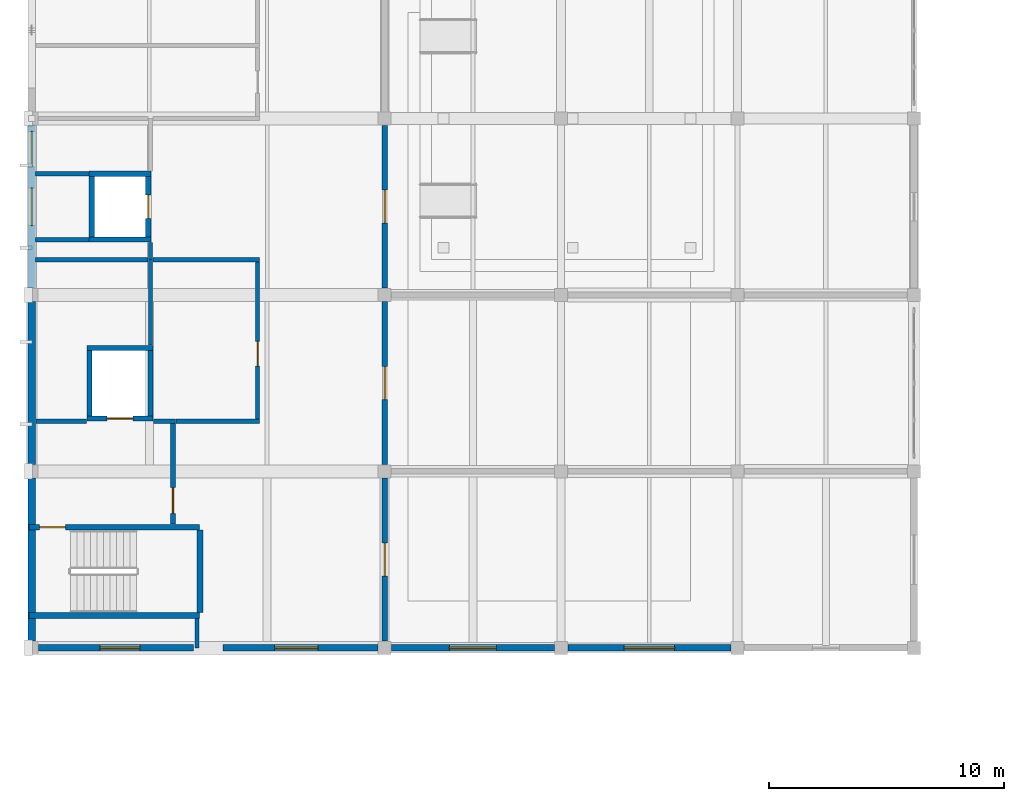
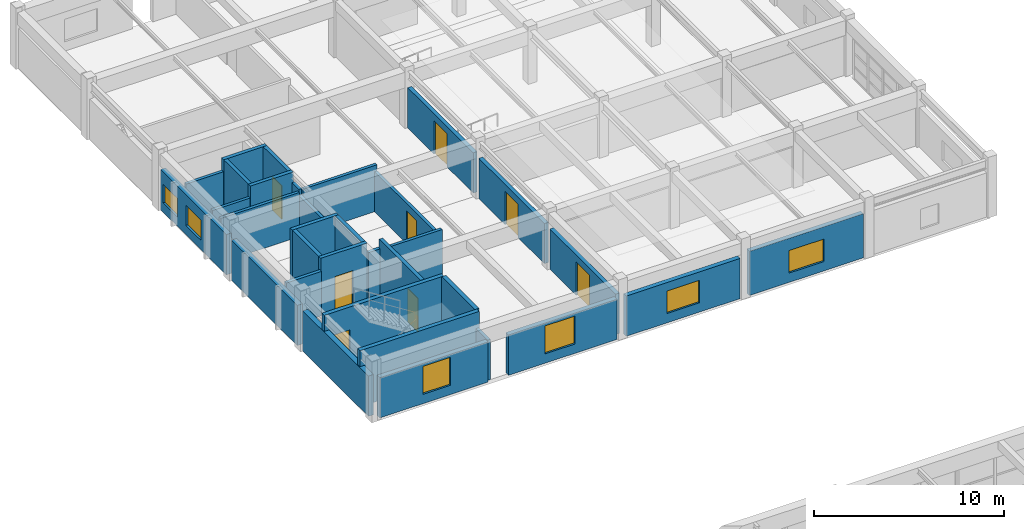
# One storey, part 79 of 101: 33 walls, 8 doors, 6 windows, 14 openings.
"""IFC4 building model written with IfcOpenShell, lengths in metres."""

from ifc_helpers import new_model, si_unit, direction, frame, frame_2d, origin, place, context, subcontext, project, spatial, rectangle, extrude, material, layer, layer_set, type_object, element, fill, save


model = new_model("IFC4")

# Units and contexts
model_context = context("Model", 3, precision=1e-05, world=origin(), true_north=direction((0.0, 1.0)))
body_context = subcontext(model_context, "Body", "Model", "MODEL_VIEW")
ifc_project = project(units=[si_unit("LENGTHUNIT", "METRE"), si_unit("AREAUNIT", "SQUARE_METRE"), si_unit("VOLUMEUNIT", "CUBIC_METRE"), si_unit("PLANEANGLEUNIT", "RADIAN"), si_unit("MASSUNIT", "GRAM", prefix="KILO")], contexts=[model_context])

# Site, building, storey
site_placement = place(None, origin())
site = spatial("IfcSite", under=ifc_project, at=site_placement, CompositionType="ELEMENT")
building_placement = place(site_placement, origin())
building = spatial("IfcBuilding", under=site, at=building_placement, Name="Qasida Concert Hall", CompositionType="ELEMENT")
storey_placement = place(building_placement, frame((0.0, 0.0, 13.199951171875)))
storey = spatial("IfcBuildingStorey", under=building, at=storey_placement, Name="L03", CompositionType="ELEMENT", Elevation=13.199951171875)

# Walls
ifc_material_1 = material(Name="Concrete C40/50", Category="concrete")
ifc_layer_1 = layer(ifc_material_1, 0.219970703125, Name="Concrete C40/50")
ifc_layer_set_1 = layer_set([ifc_layer_1], Name="Concrete C40/50")
wall_type_1 = type_object("IfcWallType", Name="WL-CW-220", PredefinedType="SOLIDWALL", material=ifc_layer_set_1)
for number, where, z_axis, x_axis, name in (
    (1, (2.43994140625, 92.35009765625, 0.0), (0.0, 0.0, 1.0), (1.0, 0.0, 0.0), "L03 LF-07 lift shaft wall S"),
    (2, (2.43994140625, 95.14990234375, 0.0), (0.0, 0.0, 1.0), (1.0, 0.0, 0.0), "L03 LF-07 lift shaft wall N"),
):
    element("IfcWall", number, at=place(storey_placement, frame(where, z_axis=z_axis, x_axis=x_axis)), inside=storey, type_object=wall_type_1, Name=name, PredefinedType="SOLIDWALL", context=body_context, shape_type="SweptSolid", body=[
        extrude(rectangle(XDim=2.6201171875, YDim=0.219970703125, at=frame_2d((1.31005859375, 0.0))), origin(), (0.0, 0.0, 1.0), 3.6201171875),
    ])
wall_1_placement = place(storey_placement, frame((2.550048828125, 92.4599609375, 0.0), z_axis=(0.0, 0.0, 1.0), x_axis=(0.0, 1.0, 0.0)))
element("IfcWall", 3, at=wall_1_placement, inside=storey, type_object=wall_type_1, Name="L03 LF-07 lift shaft wall W", PredefinedType="SOLIDWALL", context=body_context, shape_type="SweptSolid", body=[
    extrude(rectangle(XDim=2.580078125, YDim=0.219970703125, at=frame_2d((1.2900390625, 0.0))), origin(), (0.0, 0.0, 1.0), 3.6201171875),
])

# Wall, opening, door
wall_2_placement = place(storey_placement, frame((4.949951171875, 92.4599609375, 0.0), z_axis=(0.0, 0.0, 1.0), x_axis=(0.0, 1.0, 0.0)))
wall_2 = element("IfcWall", 4, at=wall_2_placement, inside=storey, type_object=wall_type_1, Name="L03 LF-07 lift shaft wall E", PredefinedType="SOLIDWALL", context=body_context, shape_type="SweptSolid", body=[
    extrude(rectangle(XDim=2.580078125, YDim=0.219970703125, at=frame_2d((1.2900390625, 0.0))), origin(), (0.0, 0.0, 1.0), 3.6201171875),
])
opening_1_placement = place(wall_2_placement, frame((0.7900390625, 0.0, 0.0)))
opening_1 = element("IfcOpeningElement", 5, at=opening_1_placement, cuts=wall_2, Name="Opening LD-100", PredefinedType="OPENING", context=body_context, shape_type="SweptSolid", body=[
    extrude(rectangle(XDim=1.0, YDim=2.14990234375, at=frame_2d((0.5, 1.074951171875))), frame((0.0, 0.119873046875, 0.0), z_axis=(0.0, -1.0, 0.0), x_axis=(1.0, 0.0, 0.0)), (0.0, 0.0, 1.0), 0.239990234375),
])
ifc_material_2 = material(Name="Brushed bronze passenger lift landing door", Category="steel")
door_type_1 = type_object("IfcDoorType", Name="LD-100", OperationType="SLIDING_TO_LEFT", PredefinedType="DOOR", material=ifc_material_2)
door_1_placement = place(opening_1_placement, origin())
door_1 = element("IfcDoor", 6, at=door_1_placement, inside=storey, type_object=door_type_1, Name="Lift landing door LF-07 L03", OperationType="SLIDING_TO_LEFT", OverallHeight=2.14990234375, OverallWidth=1.0, PredefinedType="DOOR", context=body_context, shape_type="SweptSolid", body=[
    extrude(rectangle(XDim=1.0, YDim=2.14990234375, at=frame_2d((0.5, 1.074951171875))), frame((0.0, 0.02490234375, 0.0), z_axis=(0.0, -1.0, 0.0), x_axis=(1.0, 0.0, 0.0)), (0.0, 0.0, 1.0), 0.050048828125),
])
fill(opening_1, door_1)

wall_3_placement = place(storey_placement, frame((2.340087890625, 84.75, 0.0), z_axis=(0.0, 0.0, 1.0), x_axis=(1.0, 0.0, 0.0)))
wall_3 = element("IfcWall", 7, at=wall_3_placement, inside=storey, type_object=wall_type_1, Name="L03 LF-08 lift shaft wall S", PredefinedType="SOLIDWALL", context=body_context, shape_type="SweptSolid", body=[
    extrude(rectangle(XDim=2.81982421875, YDim=0.219970703125, at=frame_2d((1.409912109375, 0.0))), origin(), (0.0, 0.0, 1.0), 3.6201171875),
])
opening_2_placement = place(wall_3_placement, frame((0.860107421875, 0.0, 0.0)))
opening_2 = element("IfcOpeningElement", 8, at=opening_2_placement, cuts=wall_3, Name="Opening LD-110", PredefinedType="OPENING", context=body_context, shape_type="SweptSolid", body=[
    extrude(rectangle(XDim=1.10009765625, YDim=2.14990234375, at=frame_2d((0.550048828125, 1.074951171875))), frame((0.0, 0.119873046875, 0.0), z_axis=(0.0, -1.0, 0.0), x_axis=(1.0, 0.0, 0.0)), (0.0, 0.0, 1.0), 0.239990234375),
])
ifc_material_3 = material(Name="Firefighting lift sliding landing door", Category="steel")
door_type_2 = type_object("IfcDoorType", Name="LD-110", OperationType="SLIDING_TO_LEFT", PredefinedType="DOOR", material=ifc_material_3)
door_2_placement = place(opening_2_placement, origin())
door_2 = element("IfcDoor", 9, at=door_2_placement, inside=storey, type_object=door_type_2, Name="Lift landing door LF-08 L03", OperationType="SLIDING_TO_LEFT", OverallHeight=2.14990234375, OverallWidth=1.10009765625, PredefinedType="DOOR", context=body_context, shape_type="SweptSolid", body=[
    extrude(rectangle(XDim=1.10009765625, YDim=2.14990234375, at=frame_2d((0.550048828125, 1.074951171875))), frame((0.0, 0.02490234375, 0.0), z_axis=(0.0, -1.0, 0.0), x_axis=(1.0, 0.0, 0.0)), (0.0, 0.0, 1.0), 0.050048828125),
])
fill(opening_2, door_2)

# Walls
wall_4_placement = place(storey_placement, frame((2.340087890625, 87.75, 0.0), z_axis=(0.0, 0.0, 1.0), x_axis=(1.0, 0.0, 0.0)))
element("IfcWall", 10, at=wall_4_placement, inside=storey, type_object=wall_type_1, Name="L03 LF-08 lift shaft wall N", PredefinedType="SOLIDWALL", context=body_context, shape_type="SweptSolid", body=[
    extrude(rectangle(XDim=2.81982421875, YDim=0.219970703125, at=frame_2d((1.409912109375, 0.0))), origin(), (0.0, 0.0, 1.0), 3.6201171875),
])
for number, where, z_axis, x_axis, name in (
    (11, (2.449951171875, 84.860107421875, 0.0), (0.0, 0.0, 1.0), (0.0, 1.0, 0.0), "L03 LF-08 lift shaft wall W"),
    (12, (5.050048828125, 84.860107421875, 0.0), (0.0, 0.0, 1.0), (0.0, 1.0, 0.0), "L03 LF-08 lift shaft wall E"),
):
    element("IfcWall", number, at=place(storey_placement, frame(where, z_axis=z_axis, x_axis=x_axis)), inside=storey, type_object=wall_type_1, Name=name, PredefinedType="SOLIDWALL", context=body_context, shape_type="SweptSolid", body=[
        extrude(rectangle(XDim=2.77978515625, YDim=0.219970703125, at=frame_2d((1.389892578125, 0.0))), origin(), (0.0, 0.0, 1.0), 3.6201171875),
    ])

# Wall, opening, door
wall_5_placement = place(storey_placement, frame((6.0, 80.260009765625, 0.0), z_axis=(0.0, 0.0, 1.0), x_axis=(0.0, 1.0, 0.0)))
wall_5 = element("IfcWall", 13, at=wall_5_placement, inside=storey, type_object=wall_type_1, Name="L03 LF-08 firefighting lobby wall", PredefinedType="SOLIDWALL", context=body_context, shape_type="SweptSolid", body=[
    extrude(rectangle(XDim=4.369873046875, YDim=0.219970703125, at=frame_2d((2.18505859375, 0.0))), origin(), (0.0, 0.0, 1.0), 3.6201171875),
])
opening_3_placement = place(wall_5_placement, frame((0.449951171875, 0.0, 0.0)))
opening_3 = element("IfcOpeningElement", 14, at=opening_3_placement, cuts=wall_5, Name="Opening FD-110", PredefinedType="OPENING", context=body_context, shape_type="SweptSolid", body=[
    extrude(rectangle(XDim=1.10009765625, YDim=2.14990234375, at=frame_2d((0.550048828125, 1.074951171875))), frame((0.0, 0.119873046875, 0.0), z_axis=(0.0, -1.0, 0.0), x_axis=(1.0, 0.0, 0.0)), (0.0, 0.0, 1.0), 0.239990234375),
])
ifc_material_4 = material(Name="Steel fire-rated stair/lobby door set", Category="steel")
door_type_3 = type_object("IfcDoorType", Name="FD-110", OperationType="NOTDEFINED", PredefinedType="DOOR", material=ifc_material_4)
door_3_placement = place(opening_3_placement, origin())
door_3 = element("IfcDoor", 15, at=door_3_placement, inside=storey, type_object=door_type_3, Name="L03 LF-08 firefighting lobby fire door", OperationType="SINGLE_SWING_RIGHT", OverallHeight=2.14990234375, OverallWidth=1.10009765625, PredefinedType="DOOR", context=body_context, shape_type="SweptSolid", body=[
    extrude(rectangle(XDim=1.10009765625, YDim=2.14990234375, at=frame_2d((0.550048828125, 1.074951171875))), frame((0.0, 0.02490234375, 0.0), z_axis=(0.0, -1.0, 0.0), x_axis=(1.0, 0.0, 0.0)), (0.0, 0.0, 1.0), 0.050048828125),
])
fill(opening_3, door_3)

# Wall
ifc_layer_2 = layer(ifc_material_1, 0.25, Name="Concrete C40/50")
ifc_layer_set_2 = layer_set([ifc_layer_2], Name="Concrete C40/50")
wall_type_2 = type_object("IfcWallType", Name="WL-CW-250", PredefinedType="SOLIDWALL", material=ifc_layer_set_2)
wall_6_placement = place(storey_placement, frame((-0.1201171875, 76.375, 0.0), z_axis=(0.0, 0.0, 1.0), x_axis=(1.0, 0.0, 0.0)))
element("IfcWall", 16, at=wall_6_placement, inside=storey, type_object=wall_type_2, Name="L03 ST-05 stairwell wall S", PredefinedType="SOLIDWALL", context=body_context, shape_type="SweptSolid", body=[
    extrude(rectangle(XDim=7.260009765625, YDim=0.25, at=frame_2d((3.6298828125, 0.0))), origin(), (0.0, 0.0, 1.0), 3.6201171875),
])

# Wall, opening, door
wall_7_placement = place(storey_placement, frame((-0.1201171875, 80.125, 0.0), z_axis=(0.0, 0.0, 1.0), x_axis=(1.0, 0.0, 0.0)))
wall_7 = element("IfcWall", 17, at=wall_7_placement, inside=storey, type_object=wall_type_2, Name="L03 ST-05 stairwell wall N", PredefinedType="SOLIDWALL", context=body_context, shape_type="SweptSolid", body=[
    extrude(rectangle(XDim=7.260009765625, YDim=0.25, at=frame_2d((3.6298828125, 0.0))), origin(), (0.0, 0.0, 1.0), 3.6201171875),
])
opening_4_placement = place(wall_7_placement, frame((0.449951171875, 0.0, 0.0)))
opening_4 = element("IfcOpeningElement", 18, at=opening_4_placement, cuts=wall_7, Name="Opening FD-110", PredefinedType="OPENING", context=body_context, shape_type="SweptSolid", body=[
    extrude(rectangle(XDim=1.10009765625, YDim=2.14990234375, at=frame_2d((0.550048828125, 1.074951171875))), frame((0.0, 0.135009765625, 0.0), z_axis=(0.0, -1.0, 0.0), x_axis=(1.0, 0.0, 0.0)), (0.0, 0.0, 1.0), 0.27001953125),
])
door_4_placement = place(opening_4_placement, origin())
door_4 = element("IfcDoor", 19, at=door_4_placement, inside=storey, type_object=door_type_3, Name="L03 ST-05 rated stair door", OperationType="SINGLE_SWING_LEFT", OverallHeight=2.14990234375, OverallWidth=1.10009765625, PredefinedType="DOOR", context=body_context, shape_type="SweptSolid", body=[
    extrude(rectangle(XDim=1.10009765625, YDim=2.14990234375, at=frame_2d((0.550048828125, 1.074951171875))), frame((0.0, 0.02490234375, 0.0), z_axis=(0.0, -1.0, 0.0), x_axis=(1.0, 0.0, 0.0)), (0.0, 0.0, 1.0), 0.050048828125),
])
fill(opening_4, door_4)

# Wall
wall_8_placement = place(storey_placement, frame((7.14501953125, 76.5, 0.0), z_axis=(0.0, 0.0, 1.0), x_axis=(0.0, 1.0, 0.0)))
element("IfcWall", 20, at=wall_8_placement, inside=storey, type_object=wall_type_2, Name="L03 ST-05 stairwell wall E", PredefinedType="SOLIDWALL", context=body_context, shape_type="SweptSolid", body=[
    extrude(rectangle(XDim=3.5, YDim=0.25, at=frame_2d((1.75, 0.0))), origin(), (0.0, 0.0, 1.0), 3.6201171875),
])

# Wall, opening, window
ifc_material_5 = material(Name="Precast concrete C40/50", Category="concrete")
ifc_layer_3 = layer(ifc_material_5, 0.280029296875, Name="Precast concrete C40/50")
ifc_layer_set_3 = layer_set([ifc_layer_3], Name="Precast concrete C40/50")
wall_type_3 = type_object("IfcWallType", Name="WL-EW-280", PredefinedType="SOLIDWALL", material=ifc_layer_set_3)
wall_9_placement = place(storey_placement, frame((0.284912109375, 75.0, 0.0), z_axis=(0.0, 0.0, 1.0), x_axis=(1.0, 0.0, 0.0)))
wall_9 = element("IfcWall", 21, at=wall_9_placement, inside=storey, type_object=wall_type_3, Name="L03 exterior wall EW-280 0275", PredefinedType="SOLIDWALL", context=body_context, shape_type="SweptSolid", body=[
    extrude(rectangle(XDim=6.594970703125, YDim=0.280029296875, at=frame_2d((3.29736328125, 0.0))), origin(), (0.0, 0.0, 1.0), 2.590087890625),
])
opening_5_placement = place(wall_9_placement, frame((2.614990234375, 0.0, 0.60009765625)))
opening_5 = element("IfcOpeningElement", 22, at=opening_5_placement, cuts=wall_9, Name="Opening WN-05", PredefinedType="OPENING", context=body_context, shape_type="SweptSolid", body=[
    extrude(rectangle(XDim=1.699951171875, YDim=1.800048828125, at=frame_2d((0.85009765625, 0.89990234375))), frame((0.0, 0.14990234375, 0.0), z_axis=(0.0, -1.0, 0.0), x_axis=(1.0, 0.0, 0.0)), (0.0, 0.0, 1.0), 0.300048828125),
])
ifc_material_6 = material(Name="Bronze-anodized aluminium frame with acoustic low-E glazing", Category="aluminium")
window_type_1 = type_object("IfcWindowType", Name="WN-05", PartitioningType="SINGLE_PANEL", PredefinedType="WINDOW", material=ifc_material_6)
window_1_placement = place(opening_5_placement, origin())
window_1 = element("IfcWindow", 23, at=window_1_placement, inside=storey, type_object=window_type_1, Name="L03 window WN-05 0146", OverallHeight=1.800048828125, OverallWidth=1.699951171875, PartitioningType="SINGLE_PANEL", PredefinedType="WINDOW", context=body_context, shape_type="SweptSolid", body=[
    extrude(rectangle(XDim=1.699951171875, YDim=1.800048828125, at=frame_2d((0.85009765625, 0.89990234375))), frame((0.0, 0.030029296875, 0.0), z_axis=(0.0, -1.0, 0.0), x_axis=(1.0, 0.0, 0.0)), (0.0, 0.0, 1.0), 0.06005859375),
])
fill(opening_5, window_1)

wall_10_placement = place(storey_placement, frame((8.1201171875, 75.0, 0.0), z_axis=(0.0, 0.0, 1.0), x_axis=(1.0, 0.0, 0.0)))
wall_10 = element("IfcWall", 24, at=wall_10_placement, inside=storey, type_object=wall_type_3, Name="L03 exterior wall EW-280 0277", PredefinedType="SOLIDWALL", context=body_context, shape_type="SweptSolid", body=[
    extrude(rectangle(XDim=6.594970703125, YDim=0.280029296875, at=frame_2d((3.29736328125, 0.0))), origin(), (0.0, 0.0, 1.0), 2.590087890625),
])
opening_6_placement = place(wall_10_placement, frame((2.205078125, 0.0, 0.60009765625)))
opening_6 = element("IfcOpeningElement", 25, at=opening_6_placement, cuts=wall_10, Name="Opening WN-06", PredefinedType="OPENING", context=body_context, shape_type="SweptSolid", body=[
    extrude(rectangle(XDim=1.85009765625, YDim=1.800048828125, at=frame_2d((0.925048828125, 0.89990234375))), frame((0.0, 0.14990234375, 0.0), z_axis=(0.0, -1.0, 0.0), x_axis=(1.0, 0.0, 0.0)), (0.0, 0.0, 1.0), 0.300048828125),
])
window_type_2 = type_object("IfcWindowType", Name="WN-06", PartitioningType="SINGLE_PANEL", PredefinedType="WINDOW", material=ifc_material_6)
window_2_placement = place(opening_6_placement, origin())
window_2 = element("IfcWindow", 26, at=window_2_placement, inside=storey, type_object=window_type_2, Name="L03 window WN-06 0148", OverallHeight=1.800048828125, OverallWidth=1.85009765625, PartitioningType="SINGLE_PANEL", PredefinedType="WINDOW", context=body_context, shape_type="SweptSolid", body=[
    extrude(rectangle(XDim=1.85009765625, YDim=1.800048828125, at=frame_2d((0.925048828125, 0.89990234375))), frame((0.0, 0.030029296875, 0.0), z_axis=(0.0, -1.0, 0.0), x_axis=(1.0, 0.0, 0.0)), (0.0, 0.0, 1.0), 0.06005859375),
])
fill(opening_6, window_2)

wall_11_placement = place(storey_placement, frame((15.284912109375, 75.0, 0.0), z_axis=(0.0, 0.0, 1.0), x_axis=(1.0, 0.0, 0.0)))
wall_11 = element("IfcWall", 27, at=wall_11_placement, inside=storey, type_object=wall_type_3, Name="L03 exterior wall EW-280 0279", PredefinedType="SOLIDWALL", context=body_context, shape_type="SweptSolid", body=[
    extrude(rectangle(XDim=6.93017578125, YDim=0.280029296875, at=frame_2d((3.465087890625, 0.0))), origin(), (0.0, 0.0, 1.0), 2.590087890625),
])
opening_7_placement = place(wall_11_placement, frame((2.465087890625, 0.0, 0.60009765625)))
opening_7 = element("IfcOpeningElement", 28, at=opening_7_placement, cuts=wall_11, Name="Opening WN-07", PredefinedType="OPENING", context=body_context, shape_type="SweptSolid", body=[
    extrude(rectangle(XDim=2.0, YDim=1.449951171875, at=frame_2d((1.0, 0.72509765625))), frame((0.0, 0.14990234375, 0.0), z_axis=(0.0, -1.0, 0.0), x_axis=(1.0, 0.0, 0.0)), (0.0, 0.0, 1.0), 0.300048828125),
])
window_type_3 = type_object("IfcWindowType", Name="WN-07", PartitioningType="SINGLE_PANEL", PredefinedType="WINDOW", material=ifc_material_6)
window_3_placement = place(opening_7_placement, origin())
window_3 = element("IfcWindow", 29, at=window_3_placement, inside=storey, type_object=window_type_3, Name="L03 window WN-07 0149", OverallHeight=1.449951171875, OverallWidth=2.0, PartitioningType="SINGLE_PANEL", PredefinedType="WINDOW", context=body_context, shape_type="SweptSolid", body=[
    extrude(rectangle(XDim=2.0, YDim=1.449951171875, at=frame_2d((1.0, 0.72509765625))), frame((0.0, 0.030029296875, 0.0), z_axis=(0.0, -1.0, 0.0), x_axis=(1.0, 0.0, 0.0)), (0.0, 0.0, 1.0), 0.06005859375),
])
fill(opening_7, window_3)

wall_12_placement = place(storey_placement, frame((22.784912109375, 75.0, 0.0), z_axis=(0.0, 0.0, 1.0), x_axis=(1.0, 0.0, 0.0)))
wall_12 = element("IfcWall", 30, at=wall_12_placement, inside=storey, type_object=wall_type_3, Name="L03 exterior wall EW-280 0281", PredefinedType="SOLIDWALL", context=body_context, shape_type="SweptSolid", body=[
    extrude(rectangle(XDim=6.93017578125, YDim=0.280029296875, at=frame_2d((3.465087890625, 0.0))), origin(), (0.0, 0.0, 1.0), 2.840087890625),
])
opening_8_placement = place(wall_12_placement, frame((2.389892578125, 0.0, 0.60009765625)))
opening_8 = element("IfcOpeningElement", 31, at=opening_8_placement, cuts=wall_12, Name="Opening WN-08", PredefinedType="OPENING", context=body_context, shape_type="SweptSolid", body=[
    extrude(rectangle(XDim=2.14990234375, YDim=1.449951171875, at=frame_2d((1.074951171875, 0.72509765625))), frame((0.0, 0.14990234375, 0.0), z_axis=(0.0, -1.0, 0.0), x_axis=(1.0, 0.0, 0.0)), (0.0, 0.0, 1.0), 0.300048828125),
])
window_type_4 = type_object("IfcWindowType", Name="WN-08", PartitioningType="SINGLE_PANEL", PredefinedType="WINDOW", material=ifc_material_6)
window_4_placement = place(opening_8_placement, origin())
window_4 = element("IfcWindow", 32, at=window_4_placement, inside=storey, type_object=window_type_4, Name="L03 window WN-08 0151", OverallHeight=1.449951171875, OverallWidth=2.14990234375, PartitioningType="SINGLE_PANEL", PredefinedType="WINDOW", context=body_context, shape_type="SweptSolid", body=[
    extrude(rectangle(XDim=2.14990234375, YDim=1.449951171875, at=frame_2d((1.074951171875, 0.72509765625))), frame((0.0, 0.030029296875, 0.0), z_axis=(0.0, -1.0, 0.0), x_axis=(1.0, 0.0, 0.0)), (0.0, 0.0, 1.0), 0.06005859375),
])
fill(opening_8, window_4)

# Wall, openings, windows
ifc_layer_4 = layer(ifc_material_5, 0.300048828125, Name="Precast concrete C40/50")
ifc_layer_set_4 = layer_set([ifc_layer_4], Name="Precast concrete C40/50")
wall_type_4 = type_object("IfcWallType", Name="WL-EW-300", PredefinedType="SOLIDWALL", material=ifc_layer_set_4)
wall_13_placement = place(storey_placement, frame((0.0, 90.284912109375, 0.0), z_axis=(0.0, 0.0, 1.0), x_axis=(0.0, 1.0, 0.0)))
wall_13 = element("IfcWall", 33, at=wall_13_placement, inside=storey, type_object=wall_type_4, Name="L03 exterior wall EW-300 0287", PredefinedType="SOLIDWALL", context=body_context, shape_type="SweptSolid", body=[
    extrude(rectangle(XDim=6.93017578125, YDim=0.300048828125, at=frame_2d((3.465087890625, 0.0))), origin(), (0.0, 0.0, 1.0), 2.590087890625),
])
opening_9_placement = place(wall_13_placement, frame((2.6650390625, 0.0, 0.60009765625)))
opening_9 = element("IfcOpeningElement", 34, at=opening_9_placement, cuts=wall_13, Name="Opening WN-12", PredefinedType="OPENING", context=body_context, shape_type="SweptSolid", body=[
    extrude(rectangle(XDim=1.60009765625, YDim=1.300048828125, at=frame_2d((0.800048828125, 0.64990234375))), frame((0.0, 0.159912109375, 0.0), z_axis=(0.0, -1.0, 0.0), x_axis=(1.0, 0.0, 0.0)), (0.0, 0.0, 1.0), 0.320068359375),
])
opening_10_placement = place(wall_13_placement, frame((5.16259765625, 0.0, 0.60009765625)))
opening_10 = element("IfcOpeningElement", 35, at=opening_10_placement, cuts=wall_13, Name="Opening WN-18", PredefinedType="OPENING", context=body_context, shape_type="SweptSolid", body=[
    extrude(rectangle(XDim=1.5, YDim=1.199951171875, at=frame_2d((0.75, 0.60009765625))), frame((0.0, 0.159912109375, 0.0), z_axis=(0.0, -1.0, 0.0), x_axis=(1.0, 0.0, 0.0)), (0.0, 0.0, 1.0), 0.320068359375),
])
window_type_5 = type_object("IfcWindowType", Name="WN-12", PartitioningType="SINGLE_PANEL", PredefinedType="WINDOW", material=ifc_material_6)
window_5_placement = place(opening_9_placement, origin())
window_5 = element("IfcWindow", 36, at=window_5_placement, inside=storey, type_object=window_type_5, Name="L03 window WN-12 0155", OverallHeight=1.300048828125, OverallWidth=1.60009765625, PartitioningType="SINGLE_PANEL", PredefinedType="WINDOW", context=body_context, shape_type="SweptSolid", body=[
    extrude(rectangle(XDim=1.60009765625, YDim=1.300048828125, at=frame_2d((0.800048828125, 0.64990234375))), frame((0.0, 0.030029296875, 0.0), z_axis=(0.0, -1.0, 0.0), x_axis=(1.0, 0.0, 0.0)), (0.0, 0.0, 1.0), 0.06005859375),
])
fill(opening_9, window_5)
window_type_6 = type_object("IfcWindowType", Name="WN-18", PartitioningType="SINGLE_PANEL", PredefinedType="WINDOW", material=ifc_material_6)
window_6_placement = place(opening_10_placement, origin())
window_6 = element("IfcWindow", 37, at=window_6_placement, inside=storey, type_object=window_type_6, Name="L03 window WN-18 0156", OverallHeight=1.199951171875, OverallWidth=1.5, PartitioningType="SINGLE_PANEL", PredefinedType="WINDOW", context=body_context, shape_type="SweptSolid", body=[
    extrude(rectangle(XDim=1.5, YDim=1.199951171875, at=frame_2d((0.75, 0.60009765625))), frame((0.0, 0.030029296875, 0.0), z_axis=(0.0, -1.0, 0.0), x_axis=(1.0, 0.0, 0.0)), (0.0, 0.0, 1.0), 0.06005859375),
])
fill(opening_10, window_6)

# Walls
ifc_layer_5 = layer(ifc_material_5, 0.320068359375, Name="Precast concrete C40/50")
ifc_layer_set_5 = layer_set([ifc_layer_5], Name="Precast concrete C40/50")
wall_type_5 = type_object("IfcWallType", Name="WL-EW-320", PredefinedType="SOLIDWALL", material=ifc_layer_set_5)
for number, where, z_axis, x_axis, name in (
    (38, (0.0, 75.284912109375, 0.0), (0.0, 0.0, 1.0), (0.0, 1.0, 0.0), "L03 exterior wall EW-320 0284"),
    (39, (0.0, 82.784912109375, 0.0), (0.0, 0.0, 1.0), (0.0, 1.0, 0.0), "L03 exterior wall EW-320 0286"),
):
    element("IfcWall", number, at=place(storey_placement, frame(where, z_axis=z_axis, x_axis=x_axis)), inside=storey, type_object=wall_type_5, Name=name, PredefinedType="SOLIDWALL", context=body_context, shape_type="SweptSolid", body=[
        extrude(rectangle(XDim=6.93017578125, YDim=0.320068359375, at=frame_2d((3.465087890625, 0.0))), origin(), (0.0, 0.0, 1.0), 2.590087890625),
    ])
ifc_material_7 = material(Name="Acoustic metal-stud gypsum partition", Category="gypsum")
ifc_layer_6 = layer(ifc_material_7, 0.179931640625, Name="Acoustic metal-stud gypsum partition")
ifc_layer_set_6 = layer_set([ifc_layer_6], Name="Acoustic metal-stud gypsum partition")
wall_type_6 = type_object("IfcWallType", Name="WL-PW-180", PredefinedType="PARTITIONING", material=ifc_layer_set_6)
wall_14_placement = place(storey_placement, frame((7.02001953125, 75.0, 0.0), z_axis=(0.0, 0.0, 1.0), x_axis=(0.0, 1.0, 0.0)))
element("IfcWall", 40, at=wall_14_placement, inside=storey, type_object=wall_type_6, Name="L03 partition PW-180 0326", PredefinedType="PARTITIONING", context=body_context, shape_type="SweptSolid", body=[
    extrude(rectangle(XDim=1.236083984375, YDim=0.179931640625, at=frame_2d((0.6181640625, 0.0))), origin(), (0.0, 0.0, 1.0), 2.590087890625),
])
wall_15_placement = place(storey_placement, frame((5.050048828125, 87.8740234375, 0.0), z_axis=(0.0, 0.0, 1.0), x_axis=(0.0, 1.0, 0.0)))
element("IfcWall", 41, at=wall_15_placement, inside=storey, type_object=wall_type_6, Name="L03 partition PW-180 0327", PredefinedType="PARTITIONING", context=body_context, shape_type="SweptSolid", body=[
    extrude(rectangle(XDim=3.6259765625, YDim=0.179931640625, at=frame_2d((1.81298828125, 0.0))), origin(), (0.0, 0.0, 1.0), 2.590087890625),
])
wall_16_placement = place(storey_placement, frame((6.1240234375, 84.6298828125, 0.0), z_axis=(0.0, 0.0, 1.0), x_axis=(1.0, 0.0, 0.0)))
element("IfcWall", 42, at=wall_16_placement, inside=storey, type_object=wall_type_6, Name="L03 partition PW-180 0328", PredefinedType="PARTITIONING", context=body_context, shape_type="SweptSolid", body=[
    extrude(rectangle(XDim=3.555908203125, YDim=0.179931640625, at=frame_2d((1.77783203125, 0.0))), origin(), (0.0, 0.0, 1.0), 2.969970703125),
])
wall_17_placement = place(storey_placement, frame((0.1640625, 91.5, 0.0), z_axis=(0.0, 0.0, 1.0), x_axis=(1.0, 0.0, 0.0)))
element("IfcWall", 43, at=wall_17_placement, inside=storey, type_object=wall_type_6, Name="L03 partition PW-180 0329", PredefinedType="PARTITIONING", context=body_context, shape_type="SweptSolid", body=[
    extrude(rectangle(XDim=4.781982421875, YDim=0.179931640625, at=frame_2d((2.39111328125, 0.0))), origin(), (0.0, 0.0, 1.0), 2.840087890625),
])
wall_18_placement = place(storey_placement, frame((5.154052734375, 91.5, 0.0), z_axis=(0.0, 0.0, 1.0), x_axis=(1.0, 0.0, 0.0)))
element("IfcWall", 44, at=wall_18_placement, inside=storey, type_object=wall_type_6, Name="L03 partition PW-180 0330", PredefinedType="PARTITIONING", context=body_context, shape_type="SweptSolid", body=[
    extrude(rectangle(XDim=4.52587890625, YDim=0.179931640625, at=frame_2d((2.262939453125, 0.0))), origin(), (0.0, 0.0, 1.0), 2.969970703125),
])

# Wall, opening, door
wall_19_placement = place(storey_placement, frame((9.60009765625, 84.73388671875, 0.0), z_axis=(0.0, 0.0, 1.0), x_axis=(0.0, 1.0, 0.0)))
wall_19 = element("IfcWall", 45, at=wall_19_placement, inside=storey, type_object=wall_type_6, Name="L03 partition PW-180 0331", PredefinedType="PARTITIONING", context=body_context, shape_type="SweptSolid", body=[
    extrude(rectangle(XDim=6.662109375, YDim=0.179931640625, at=frame_2d((3.3310546875, 0.0))), origin(), (0.0, 0.0, 1.0), 2.590087890625),
])
opening_11_placement = place(wall_19_placement, frame((2.240966796875, 0.0, 0.0)))
opening_11 = element("IfcOpeningElement", 46, at=opening_11_placement, cuts=wall_19, Name="Opening ID-105", PredefinedType="OPENING", context=body_context, shape_type="SweptSolid", body=[
    extrude(rectangle(XDim=1.050048828125, YDim=2.1201171875, at=frame_2d((0.52490234375, 1.06005859375))), frame((0.0, 0.099853515625, 0.0), z_axis=(0.0, -1.0, 0.0), x_axis=(1.0, 0.0, 0.0)), (0.0, 0.0, 1.0), 0.199951171875),
])
ifc_material_8 = material(Name="Quarter-sawn oak practice studio door", Category="wood")
door_type_4 = type_object("IfcDoorType", Name="ID-105", OperationType="NOTDEFINED", PredefinedType="DOOR", material=ifc_material_8)
door_5_placement = place(opening_11_placement, origin())
door_5 = element("IfcDoor", 47, at=door_5_placement, inside=storey, type_object=door_type_4, Name="L03 Soloist practice booth door", OperationType="SINGLE_SWING_LEFT", OverallHeight=2.1201171875, OverallWidth=1.050048828125, PredefinedType="DOOR", context=body_context, shape_type="SweptSolid", body=[
    extrude(rectangle(XDim=1.050048828125, YDim=2.1201171875, at=frame_2d((0.52490234375, 1.06005859375))), frame((0.0, 0.02490234375, 0.0), z_axis=(0.0, -1.0, 0.0), x_axis=(1.0, 0.0, 0.0)), (0.0, 0.0, 1.0), 0.050048828125),
])
fill(opening_11, door_5)

# Walls
for number, where, z_axis, x_axis, name in (
    (48, (0.1640625, 92.35009765625, 0.0), (0.0, 0.0, 1.0), (1.0, 0.0, 0.0), "L03 partition PW-180 0332"),
    (49, (0.1640625, 95.14990234375, 0.0), (0.0, 0.0, 1.0), (1.0, 0.0, 0.0), "L03 partition PW-180 0333"),
):
    element("IfcWall", number, at=place(storey_placement, frame(where, z_axis=z_axis, x_axis=x_axis)), inside=storey, type_object=wall_type_6, Name=name, PredefinedType="PARTITIONING", context=body_context, shape_type="SweptSolid", body=[
        extrude(rectangle(XDim=2.27587890625, YDim=0.179931640625, at=frame_2d((1.137939453125, 0.0))), origin(), (0.0, 0.0, 1.0), 2.840087890625),
    ])
wall_20_placement = place(storey_placement, frame((5.050048828125, 91.5, 0.0), z_axis=(0.0, 0.0, 1.0), x_axis=(0.0, 1.0, 0.0)))
element("IfcWall", 50, at=wall_20_placement, inside=storey, type_object=wall_type_6, Name="L03 partition PW-180 0334", PredefinedType="PARTITIONING", context=body_context, shape_type="SweptSolid", body=[
    extrude(rectangle(XDim=0.72607421875, YDim=0.179931640625, at=frame_2d((0.363037109375, 0.0))), origin(), (0.0, 0.0, 1.0), 2.969970703125),
])
ifc_material_9 = material(Name="Acoustic gypsum block and mineral wool", Category="gypsum")
ifc_layer_7 = layer(ifc_material_9, 0.199951171875, Name="Acoustic gypsum block and mineral wool")
ifc_layer_set_7 = layer_set([ifc_layer_7], Name="Acoustic gypsum block and mineral wool")
wall_type_7 = type_object("IfcWallType", Name="WL-PW-200", PredefinedType="PARTITIONING", material=ifc_layer_set_7)
wall_21_placement = place(storey_placement, frame((0.179931640625, 84.6298828125, 0.0), z_axis=(0.0, 0.0, 1.0), x_axis=(1.0, 0.0, 0.0)))
element("IfcWall", 51, at=wall_21_placement, inside=storey, type_object=wall_type_7, Name="L03 LF-08 firefighting lobby return wall", PredefinedType="PARTITIONING", context=body_context, shape_type="SweptSolid", body=[
    extrude(rectangle(XDim=2.14501953125, YDim=0.199951171875, at=frame_2d((1.072509765625, 0.0))), origin(), (0.0, 0.0, 1.0), 2.85009765625),
])
wall_22_placement = place(storey_placement, frame((5.175048828125, 84.6298828125, 0.0), z_axis=(0.0, 0.0, 1.0), x_axis=(1.0, 0.0, 0.0)))
element("IfcWall", 52, at=wall_22_placement, inside=storey, type_object=wall_type_7, Name="L03 LF-08 firefighting lobby return wall", PredefinedType="PARTITIONING", context=body_context, shape_type="SweptSolid", body=[
    extrude(rectangle(XDim=0.93505859375, YDim=0.199951171875, at=frame_2d((0.467529296875, 0.0))), origin(), (0.0, 0.0, 1.0), 3.050048828125),
])

# Wall, opening, door
ifc_material_10 = material(Name="Double-stud acoustic gypsum and mineral wool", Category="gypsum")
ifc_layer_8 = layer(ifc_material_10, 0.239990234375, Name="Double-stud acoustic gypsum and mineral wool")
ifc_layer_set_8 = layer_set([ifc_layer_8], Name="Double-stud acoustic gypsum and mineral wool")
wall_type_8 = type_object("IfcWallType", Name="WL-PW-240", PredefinedType="PARTITIONING", material=ifc_layer_set_8)
wall_23_placement = place(storey_placement, frame((15.0, 75.2890625, 0.0), z_axis=(0.0, 0.0, 1.0), x_axis=(0.0, 1.0, 0.0)))
wall_23 = element("IfcWall", 53, at=wall_23_placement, inside=storey, type_object=wall_type_8, Name="L03 partition PW-240 0348", PredefinedType="PARTITIONING", context=body_context, shape_type="SweptSolid", body=[
    extrude(rectangle(XDim=6.921875, YDim=0.239990234375, at=frame_2d((3.4609375, 0.0))), origin(), (0.0, 0.0, 1.0), 2.590087890625),
])
opening_12_placement = place(wall_23_placement, frame((2.760986328125, 0.0, 0.0)))
opening_12 = element("IfcOpeningElement", 54, at=opening_12_placement, cuts=wall_23, Name="Opening AD-140", PredefinedType="OPENING", context=body_context, shape_type="SweptSolid", body=[
    extrude(rectangle(XDim=1.39990234375, YDim=2.139892578125, at=frame_2d((0.699951171875, 1.06982421875))), frame((0.0, 0.1298828125, 0.0), z_axis=(0.0, -1.0, 0.0), x_axis=(1.0, 0.0, 0.0)), (0.0, 0.0, 1.0), 0.260009765625),
])
ifc_material_11 = material(Name="Acoustic studio sound-lock door", Category="wood")
door_type_5 = type_object("IfcDoorType", Name="AD-140", OperationType="NOTDEFINED", PredefinedType="DOOR", material=ifc_material_11)
door_6_placement = place(opening_12_placement, origin())
door_6 = element("IfcDoor", 55, at=door_6_placement, inside=storey, type_object=door_type_5, Name="L03 Mastering suite door", OperationType="SINGLE_SWING_RIGHT", OverallHeight=2.139892578125, OverallWidth=1.39990234375, PredefinedType="DOOR", context=body_context, shape_type="SweptSolid", body=[
    extrude(rectangle(XDim=1.39990234375, YDim=2.139892578125, at=frame_2d((0.699951171875, 1.06982421875))), frame((0.0, 0.02490234375, 0.0), z_axis=(0.0, -1.0, 0.0), x_axis=(1.0, 0.0, 0.0)), (0.0, 0.0, 1.0), 0.050048828125),
])
fill(opening_12, door_6)

wall_24_placement = place(storey_placement, frame((15.0, 82.7890625, 0.0), z_axis=(0.0, 0.0, 1.0), x_axis=(0.0, 1.0, 0.0)))
wall_24 = element("IfcWall", 56, at=wall_24_placement, inside=storey, type_object=wall_type_8, Name="L03 partition PW-240 0349", PredefinedType="PARTITIONING", context=body_context, shape_type="SweptSolid", body=[
    extrude(rectangle(XDim=6.921875, YDim=0.239990234375, at=frame_2d((3.4609375, 0.0))), origin(), (0.0, 0.0, 1.0), 2.590087890625),
])
opening_13_placement = place(wall_24_placement, frame((2.760986328125, 0.0, 0.0)))
opening_13 = element("IfcOpeningElement", 57, at=opening_13_placement, cuts=wall_24, Name="Opening AD-140", PredefinedType="OPENING", context=body_context, shape_type="SweptSolid", body=[
    extrude(rectangle(XDim=1.39990234375, YDim=2.139892578125, at=frame_2d((0.699951171875, 1.06982421875))), frame((0.0, 0.1298828125, 0.0), z_axis=(0.0, -1.0, 0.0), x_axis=(1.0, 0.0, 0.0)), (0.0, 0.0, 1.0), 0.260009765625),
])
door_7_placement = place(opening_13_placement, origin())
door_7 = element("IfcDoor", 58, at=door_7_placement, inside=storey, type_object=door_type_5, Name="L03 Recording control room door", OperationType="SINGLE_SWING_LEFT", OverallHeight=2.139892578125, OverallWidth=1.39990234375, PredefinedType="DOOR", context=body_context, shape_type="SweptSolid", body=[
    extrude(rectangle(XDim=1.39990234375, YDim=2.139892578125, at=frame_2d((0.699951171875, 1.06982421875))), frame((0.0, 0.02490234375, 0.0), z_axis=(0.0, -1.0, 0.0), x_axis=(1.0, 0.0, 0.0)), (0.0, 0.0, 1.0), 0.050048828125),
])
fill(opening_13, door_7)

wall_25_placement = place(storey_placement, frame((15.0, 90.2890625, 0.0), z_axis=(0.0, 0.0, 1.0), x_axis=(0.0, 1.0, 0.0)))
wall_25 = element("IfcWall", 59, at=wall_25_placement, inside=storey, type_object=wall_type_8, Name="L03 partition PW-240 0350", PredefinedType="PARTITIONING", context=body_context, shape_type="SweptSolid", body=[
    extrude(rectangle(XDim=6.921875, YDim=0.239990234375, at=frame_2d((3.4609375, 0.0))), origin(), (0.0, 0.0, 1.0), 2.590087890625),
])
opening_14_placement = place(wall_25_placement, frame((2.760986328125, 0.0, 0.0)))
opening_14 = element("IfcOpeningElement", 60, at=opening_14_placement, cuts=wall_25, Name="Opening AD-140", PredefinedType="OPENING", context=body_context, shape_type="SweptSolid", body=[
    extrude(rectangle(XDim=1.39990234375, YDim=2.139892578125, at=frame_2d((0.699951171875, 1.06982421875))), frame((0.0, 0.1298828125, 0.0), z_axis=(0.0, -1.0, 0.0), x_axis=(1.0, 0.0, 0.0)), (0.0, 0.0, 1.0), 0.260009765625),
])
door_8_placement = place(opening_14_placement, origin())
door_8 = element("IfcDoor", 61, at=door_8_placement, inside=storey, type_object=door_type_5, Name="L03 Recording live room door", OperationType="SINGLE_SWING_RIGHT", OverallHeight=2.139892578125, OverallWidth=1.39990234375, PredefinedType="DOOR", context=body_context, shape_type="SweptSolid", body=[
    extrude(rectangle(XDim=1.39990234375, YDim=2.139892578125, at=frame_2d((0.699951171875, 1.06982421875))), frame((0.0, 0.02490234375, 0.0), z_axis=(0.0, -1.0, 0.0), x_axis=(1.0, 0.0, 0.0)), (0.0, 0.0, 1.0), 0.050048828125),
])
fill(opening_14, door_8)

save(model, "model.ifc")
